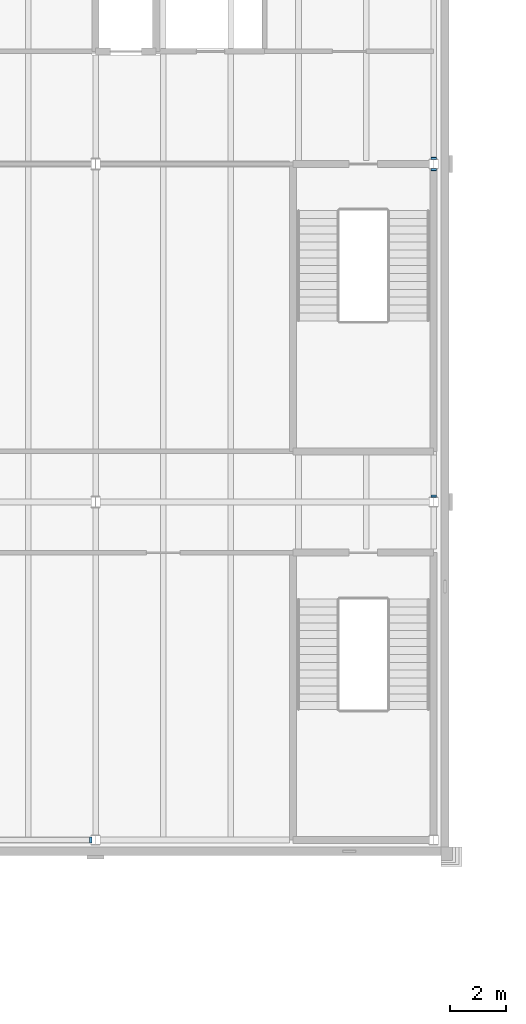
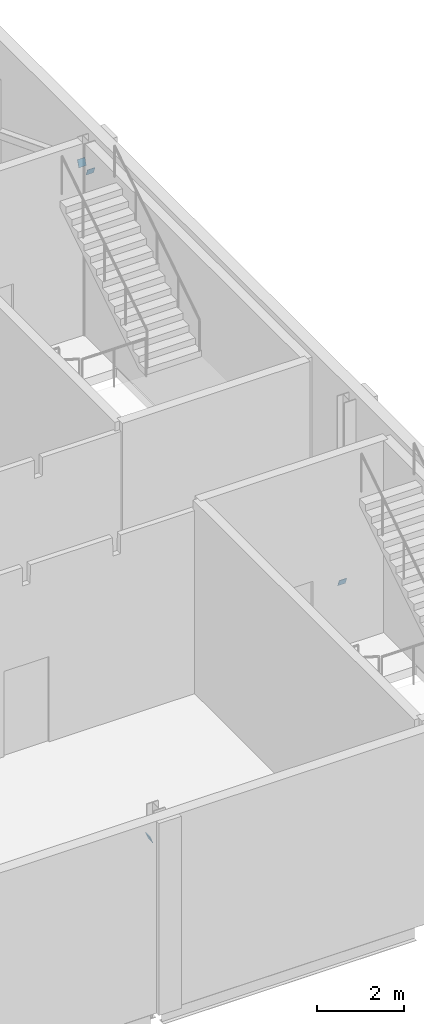
# One storey, part 155 of 170: 4 discrete accessories.
"""IFC4 building model written with IfcOpenShell, lengths in metres."""

from ifc_helpers import new_model, si_unit, direction, frame, origin, origin_2d, place, context, subcontext, project, spatial, rectangle, extrude, material, material_profile, profile_set, type_object, element, save


model = new_model("IFC4")

# Units and contexts
model_context = context("Model", 3, precision=1e-05, world=origin(), true_north=direction((0.0, 1.0)))
body_context = subcontext(model_context, "Body", "Model", "MODEL_VIEW")
ifc_project = project(units=[si_unit("LENGTHUNIT", "METRE"), si_unit("AREAUNIT", "SQUARE_METRE"), si_unit("VOLUMEUNIT", "CUBIC_METRE"), si_unit("PLANEANGLEUNIT", "RADIAN"), si_unit("MASSUNIT", "GRAM", prefix="KILO")], contexts=[model_context])

# Site, building, storey
site_placement = place(None, origin())
site = spatial("IfcSite", under=ifc_project, at=site_placement, CompositionType="ELEMENT")
building_placement = place(site_placement, origin())
building = spatial("IfcBuilding", under=site, at=building_placement, Name="Ravi Spectrum Wholesale Market", CompositionType="ELEMENT")
storey_placement = place(building_placement, frame((0.0, 0.0, 5.39990234375)))
storey = spatial("IfcBuildingStorey", under=building, at=storey_placement, Name="L01", CompositionType="ELEMENT", Elevation=5.39990234375)

# Discrete accessories
ifc_material = material(Name="Steel S355", Category="steel")
ifc_material_profile = material_profile(ifc_material, rectangle(XDim=0.199951171875, YDim=0.199951171875, at=origin_2d()))
ifc_profile_set = profile_set([ifc_material_profile], Name="Steel S355")
discrete_accessory_type = type_object("IfcDiscreteAccessoryType", Name="End plate SHS 200x200x8", PredefinedType="BRACKET", material=ifc_profile_set)
for number, where, z_axis, x_axis, name in (
    (1, (269.814208984375, 18.0, 4.556640625), (0.931242779706, 0.0, 0.364399348581), (0.0, 1.0, 0.0), "End plate"),
    (2, (282.0, 30.206298828125, 0.09326171875), (0.0, -0.931242779706, -0.364399348581), (1.0, 0.0, 0.0), "End plate"),
    (3, (282.0, 41.793701171875, 4.60693359375), (0.0, 0.931242779706, 0.364399348581), (-1.0, 0.0, 0.0), "End plate"),
    (4, (282.0, 42.206298828125, 4.60693359375), (0.0, -0.931242779706, 0.364399348581), (1.0, 0.0, 0.0), "End plate"),
):
    element("IfcDiscreteAccessory", number, at=place(storey_placement, frame(where, z_axis=z_axis, x_axis=x_axis)), inside=storey, type_object=discrete_accessory_type, Name=name, PredefinedType="BRACKET", context=body_context, shape_type="SweptSolid", body=[
        extrude(rectangle(XDim=0.199951171875, YDim=0.199951171875, at=origin_2d()), origin(), (0.0, 0.0, 1.0), 0.011962890625),
    ])

save(model, "model.ifc")
